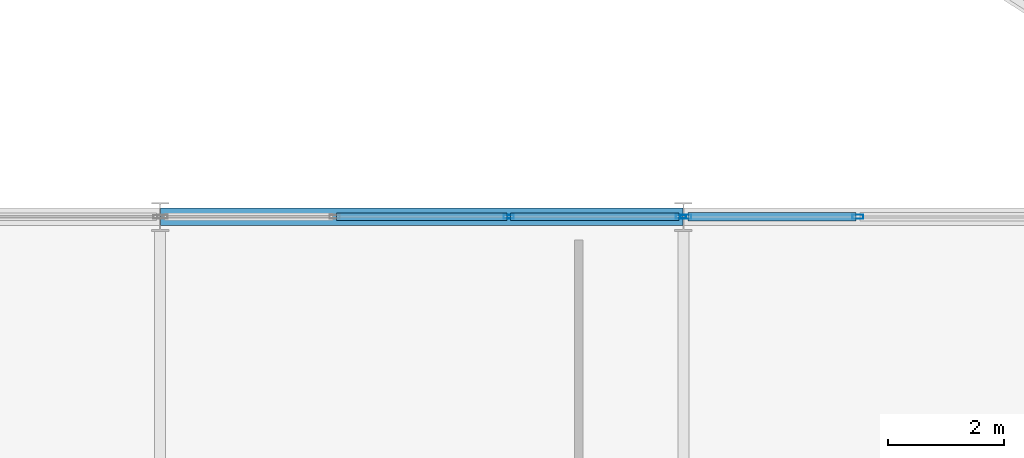
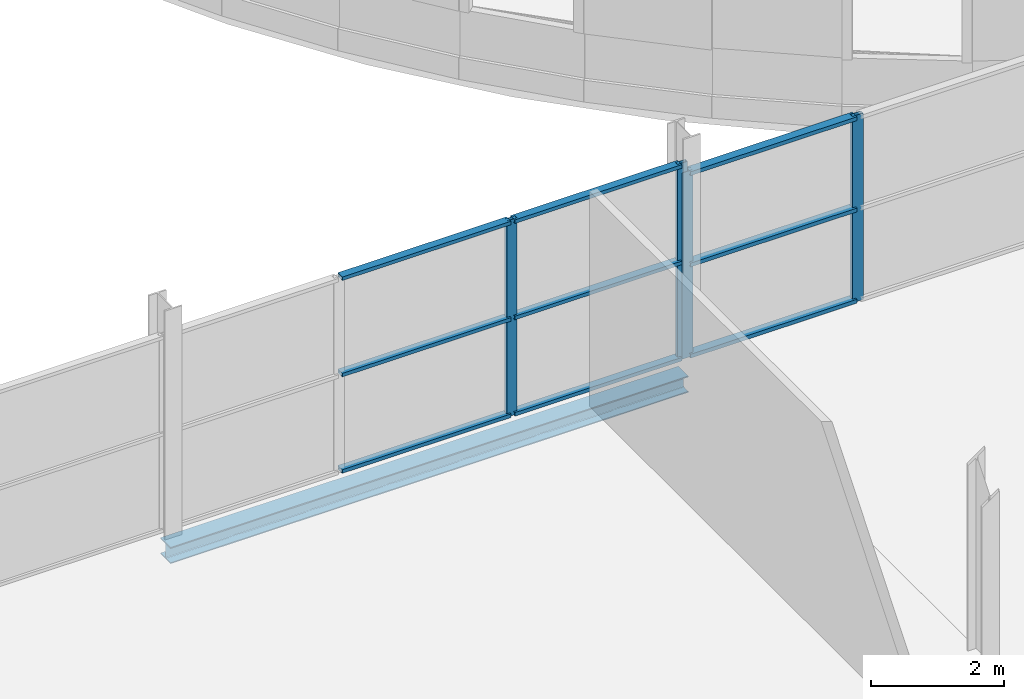
# One storey, part 64 of 135: 13 members, 1 beam, 2 elements without a shape of their own.
"""IFC4 building model written with IfcOpenShell, lengths in metres."""

from ifc_helpers import new_model, si_unit, direction, frame, origin, origin_2d, place, context, subcontext, project, spatial, hollow_rectangle, i_section, extrude, material, layer, layer_set, material_profile, profile_set, type_object, element, aggregate, save


model = new_model("IFC4")

# Units and contexts
model_context = context("Model", 3, precision=1e-05, world=origin(), true_north=direction((0.0, 1.0)))
body_context = subcontext(model_context, "Body", "Model", "MODEL_VIEW")
ifc_project = project(units=[si_unit("LENGTHUNIT", "METRE"), si_unit("AREAUNIT", "SQUARE_METRE"), si_unit("VOLUMEUNIT", "CUBIC_METRE"), si_unit("PLANEANGLEUNIT", "RADIAN"), si_unit("MASSUNIT", "GRAM", prefix="KILO")], contexts=[model_context])

# Site, building, storey
site_placement = place(None, origin())
site = spatial("IfcSite", under=ifc_project, at=site_placement, CompositionType="ELEMENT")
building_placement = place(site_placement, origin())
building = spatial("IfcBuilding", under=site, at=building_placement, Name="Deido Ridge Mobility Hub", CompositionType="ELEMENT")
storey_placement = place(building_placement, frame((0.0, 0.0, 4.199951171875)))
storey = spatial("IfcBuildingStorey", under=building, at=storey_placement, Name="L01", CompositionType="ELEMENT", Elevation=4.199951171875)

# Curtain wall, members
ifc_material_1 = material(Name="Anodised aluminium EN AW-6063 T6", Category="aluminium")
ifc_layer_1 = layer(ifc_material_1, 0.156005859375, Name="Anodised aluminium EN AW-6063 T6")
ifc_layer_set_1 = layer_set([ifc_layer_1], Name="Anodised aluminium EN AW-6063 T6")
curtain_wall_type_1 = type_object("IfcCurtainWallType", Name="CW-GS-3", PredefinedType="USERDEFINED", material=ifc_layer_set_1)
curtain_wall_1_placement = place(storey_placement, origin())
curtain_wall_1 = element("IfcCurtainWall", 1, at=curtain_wall_1_placement, inside=storey, type_object=curtain_wall_type_1, Name="Unitised curtain wall GS3", ObjectType="GLAZED SCREEN", PredefinedType="USERDEFINED")
ifc_material_profile_1 = material_profile(ifc_material_1, hollow_rectangle(XDim=0.06494140625, YDim=0.175048828125, WallThickness=0.00390625, at=origin_2d()), Name="RHS 65x175x4")
ifc_profile_set_1 = profile_set([ifc_material_profile_1], Name="Anodised aluminium EN AW-6063 T6")
member_type_1 = type_object("IfcMemberType", Name="MEM-MUL-65X175", PredefinedType="MULLION", material=ifc_profile_set_1)
member_1_placement = place(storey_placement, frame((23.99755859375, 81.0, 0.0), z_axis=(0.0, 0.0, 1.0), x_axis=(0.0, 1.0, 0.0)))
member_1 = element("IfcMember", 2, at=member_1_placement, type_object=member_type_1, Name="GS3 mullion 3", PredefinedType="MULLION", context=body_context, shape_type="SweptSolid", body=[
    extrude(hollow_rectangle(XDim=0.06494140625, YDim=0.175048828125, WallThickness=0.00390625, at=origin_2d()), origin(), (0.0, 0.0, 1.0), 3.60009765625),
])
member_2_placement = place(storey_placement, frame((26.960205078125, 81.0, 0.0), z_axis=(0.0, 0.0, 1.0), x_axis=(0.0, 1.0, 0.0)))
member_2 = element("IfcMember", 3, at=member_2_placement, type_object=member_type_1, Name="GS3 mullion 4", PredefinedType="MULLION", context=body_context, shape_type="SweptSolid", body=[
    extrude(hollow_rectangle(XDim=0.06494140625, YDim=0.175048828125, WallThickness=0.00390625, at=origin_2d()), origin(), (0.0, 0.0, 1.0), 3.60009765625),
])

ifc_layer_2 = layer(ifc_material_1, 0.16796875, Name="Anodised aluminium EN AW-6063 T6")
ifc_layer_set_2 = layer_set([ifc_layer_2], Name="Anodised aluminium EN AW-6063 T6")
curtain_wall_type_2 = type_object("IfcCurtainWallType", Name="CW-GS-4", PredefinedType="USERDEFINED", material=ifc_layer_set_2)
curtain_wall_2_placement = place(storey_placement, origin())
curtain_wall_2 = element("IfcCurtainWall", 4, at=curtain_wall_2_placement, inside=storey, type_object=curtain_wall_type_2, Name="Unitised curtain wall GS4", ObjectType="GLAZED SCREEN", PredefinedType="USERDEFINED")
ifc_material_profile_2 = material_profile(ifc_material_1, hollow_rectangle(XDim=0.070068359375, YDim=0.18994140625, WallThickness=0.00390625, at=origin_2d()), Name="RHS 70x190x4")
ifc_profile_set_2 = profile_set([ifc_material_profile_2], Name="Anodised aluminium EN AW-6063 T6")
member_type_2 = type_object("IfcMemberType", Name="MEM-MUL-70X190", PredefinedType="MULLION", material=ifc_profile_set_2)
member_3_placement = place(storey_placement, frame((27.042236328125, 81.0, 0.0), z_axis=(0.0, 0.0, 1.0), x_axis=(0.0, 1.0, 0.0)))
member_3 = element("IfcMember", 5, at=member_3_placement, type_object=member_type_2, Name="GS4 mullion 1", PredefinedType="MULLION", context=body_context, shape_type="SweptSolid", body=[
    extrude(hollow_rectangle(XDim=0.070068359375, YDim=0.18994140625, WallThickness=0.00390625, at=origin_2d()), origin(), (0.0, 0.0, 1.0), 3.420166015625),
])
member_4_placement = place(storey_placement, frame((30.00244140625, 81.0, 0.0), z_axis=(0.0, 0.0, 1.0), x_axis=(0.0, 1.0, 0.0)))
member_4 = element("IfcMember", 6, at=member_4_placement, type_object=member_type_2, Name="GS4 mullion 2", PredefinedType="MULLION", context=body_context, shape_type="SweptSolid", body=[
    extrude(hollow_rectangle(XDim=0.070068359375, YDim=0.18994140625, WallThickness=0.00390625, at=origin_2d()), origin(), (0.0, 0.0, 1.0), 3.420166015625),
])

# Member
ifc_material_profile_3 = material_profile(ifc_material_1, hollow_rectangle(XDim=0.135009765625, YDim=0.06494140625, WallThickness=0.00390625, at=origin_2d()), Name="RHS 135x65x4")
ifc_profile_set_3 = profile_set([ifc_material_profile_3], Name="Anodised aluminium EN AW-6063 T6")
member_type_3 = type_object("IfcMemberType", Name="MEM-TRN-135X65", PredefinedType="USERDEFINED", material=ifc_profile_set_3)
member_5_placement = place(storey_placement, frame((21.034912109375, 81.0, 0.032470703125), z_axis=(1.0, 0.0, 0.0), x_axis=(0.0, 1.0, 0.0)))
member_5 = element("IfcMember", 7, at=member_5_placement, type_object=member_type_3, Name="GS3 transom 2.1", ObjectType="TRANSOM", PredefinedType="USERDEFINED", context=body_context, shape_type="SweptSolid", body=[
    extrude(hollow_rectangle(XDim=0.135009765625, YDim=0.06494140625, WallThickness=0.00390625, at=origin_2d()), origin(), (0.0, 0.0, 1.0), 2.93017578125),
])

member_6_placement = place(storey_placement, frame((21.034912109375, 81.0, 1.800048828125), z_axis=(1.0, 0.0, 0.0), x_axis=(0.0, 1.0, 0.0)))
member_6 = element("IfcMember", 8, at=member_6_placement, type_object=member_type_3, Name="GS3 transom 2.2", ObjectType="TRANSOM", PredefinedType="USERDEFINED", context=body_context, shape_type="SweptSolid", body=[
    extrude(hollow_rectangle(XDim=0.135009765625, YDim=0.06494140625, WallThickness=0.00390625, at=origin_2d()), origin(), (0.0, 0.0, 1.0), 2.93017578125),
])

member_7_placement = place(storey_placement, frame((21.034912109375, 81.0, 3.567626953125), z_axis=(1.0, 0.0, 0.0), x_axis=(0.0, 1.0, 0.0)))
member_7 = element("IfcMember", 9, at=member_7_placement, type_object=member_type_3, Name="GS3 transom 2.3", ObjectType="TRANSOM", PredefinedType="USERDEFINED", context=body_context, shape_type="SweptSolid", body=[
    extrude(hollow_rectangle(XDim=0.135009765625, YDim=0.06494140625, WallThickness=0.00390625, at=origin_2d()), origin(), (0.0, 0.0, 1.0), 2.93017578125),
])

member_8_placement = place(storey_placement, frame((24.030029296875, 81.0, 0.032470703125), z_axis=(1.0, 0.0, 0.0), x_axis=(0.0, 1.0, 0.0)))
member_8 = element("IfcMember", 10, at=member_8_placement, type_object=member_type_3, Name="GS3 transom 3.1", ObjectType="TRANSOM", PredefinedType="USERDEFINED", context=body_context, shape_type="SweptSolid", body=[
    extrude(hollow_rectangle(XDim=0.135009765625, YDim=0.06494140625, WallThickness=0.00390625, at=origin_2d()), origin(), (0.0, 0.0, 1.0), 2.897705078125),
])

member_9_placement = place(storey_placement, frame((24.030029296875, 81.0, 1.800048828125), z_axis=(1.0, 0.0, 0.0), x_axis=(0.0, 1.0, 0.0)))
member_9 = element("IfcMember", 11, at=member_9_placement, type_object=member_type_3, Name="GS3 transom 3.2", ObjectType="TRANSOM", PredefinedType="USERDEFINED", context=body_context, shape_type="SweptSolid", body=[
    extrude(hollow_rectangle(XDim=0.135009765625, YDim=0.06494140625, WallThickness=0.00390625, at=origin_2d()), origin(), (0.0, 0.0, 1.0), 2.897705078125),
])

member_10_placement = place(storey_placement, frame((24.030029296875, 81.0, 3.567626953125), z_axis=(1.0, 0.0, 0.0), x_axis=(0.0, 1.0, 0.0)))
member_10 = element("IfcMember", 12, at=member_10_placement, type_object=member_type_3, Name="GS3 transom 3.3", ObjectType="TRANSOM", PredefinedType="USERDEFINED", context=body_context, shape_type="SweptSolid", body=[
    extrude(hollow_rectangle(XDim=0.135009765625, YDim=0.06494140625, WallThickness=0.00390625, at=origin_2d()), origin(), (0.0, 0.0, 1.0), 2.897705078125),
])

aggregate(curtain_wall_1, [member_1, member_2, member_5, member_6, member_7, member_8, member_9, member_10])

ifc_material_profile_4 = material_profile(ifc_material_1, hollow_rectangle(XDim=0.14501953125, YDim=0.070068359375, WallThickness=0.00390625, at=origin_2d()), Name="RHS 145x70x4")
ifc_profile_set_4 = profile_set([ifc_material_profile_4], Name="Anodised aluminium EN AW-6063 T6")
member_type_4 = type_object("IfcMemberType", Name="MEM-TRN-145X70", PredefinedType="USERDEFINED", material=ifc_profile_set_4)
member_11_placement = place(storey_placement, frame((27.0771484375, 81.0, 0.03515625), z_axis=(1.0, 0.0, 0.0), x_axis=(0.0, 1.0, 0.0)))
member_11 = element("IfcMember", 13, at=member_11_placement, type_object=member_type_4, Name="GS4 transom 1.1", ObjectType="TRANSOM", PredefinedType="USERDEFINED", context=body_context, shape_type="SweptSolid", body=[
    extrude(hollow_rectangle(XDim=0.14501953125, YDim=0.070068359375, WallThickness=0.00390625, at=origin_2d()), origin(), (0.0, 0.0, 1.0), 2.89013671875),
])

member_12_placement = place(storey_placement, frame((27.0771484375, 81.0, 1.7099609375), z_axis=(1.0, 0.0, 0.0), x_axis=(0.0, 1.0, 0.0)))
member_12 = element("IfcMember", 14, at=member_12_placement, type_object=member_type_4, Name="GS4 transom 1.2", ObjectType="TRANSOM", PredefinedType="USERDEFINED", context=body_context, shape_type="SweptSolid", body=[
    extrude(hollow_rectangle(XDim=0.14501953125, YDim=0.070068359375, WallThickness=0.00390625, at=origin_2d()), origin(), (0.0, 0.0, 1.0), 2.89013671875),
])

member_13_placement = place(storey_placement, frame((27.0771484375, 81.0, 3.385009765625), z_axis=(1.0, 0.0, 0.0), x_axis=(0.0, 1.0, 0.0)))
member_13 = element("IfcMember", 15, at=member_13_placement, type_object=member_type_4, Name="GS4 transom 1.3", ObjectType="TRANSOM", PredefinedType="USERDEFINED", context=body_context, shape_type="SweptSolid", body=[
    extrude(hollow_rectangle(XDim=0.14501953125, YDim=0.070068359375, WallThickness=0.00390625, at=origin_2d()), origin(), (0.0, 0.0, 1.0), 2.89013671875),
])

aggregate(curtain_wall_2, [member_3, member_4, member_11, member_12, member_13])

# Beam
ifc_material_2 = material(Name="Steel S355J2 EN 10025-2", Category="steel")
ifc_material_profile_5 = material_profile(ifc_material_2, i_section(OverallWidth=0.300048828125, OverallDepth=0.300048828125, WebThickness=0.010986328125, FlangeThickness=0.01904296875, FilletRadius=0.027099609375, at=origin_2d()), Name="HEB 300")
ifc_profile_set_5 = profile_set([ifc_material_profile_5], Name="Steel S355J2 EN 10025-2")
beam_type = type_object("IfcBeamType", Name="SPD-HEB300", PredefinedType="SPANDREL", material=ifc_profile_set_5)
beam_placement = place(storey_placement, frame((18.007080078125, 81.0, -0.39990234375), z_axis=(1.0, 0.0, 0.0), x_axis=(0.0, 1.0, 0.0)))
element("IfcBeam", 16, at=beam_placement, inside=storey, type_object=beam_type, Name="Floor beam SP1", PredefinedType="SPANDREL", context=body_context, shape_type="SweptSolid", body=[
    extrude(i_section(OverallWidth=0.300048828125, OverallDepth=0.300048828125, WebThickness=0.010986328125, FlangeThickness=0.01904296875, FilletRadius=0.027099609375, at=origin_2d()), origin(), (0.0, 0.0, 1.0), 8.98583984375),
])

save(model, "model.ifc")
